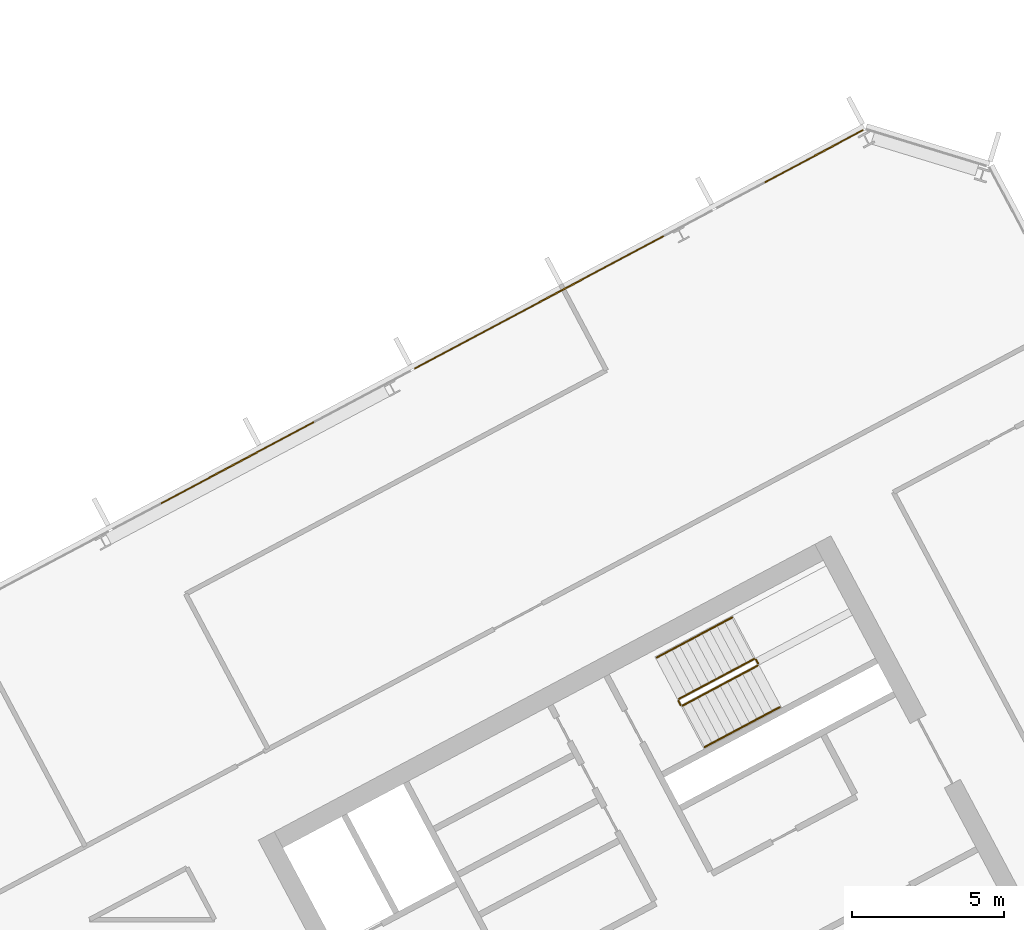
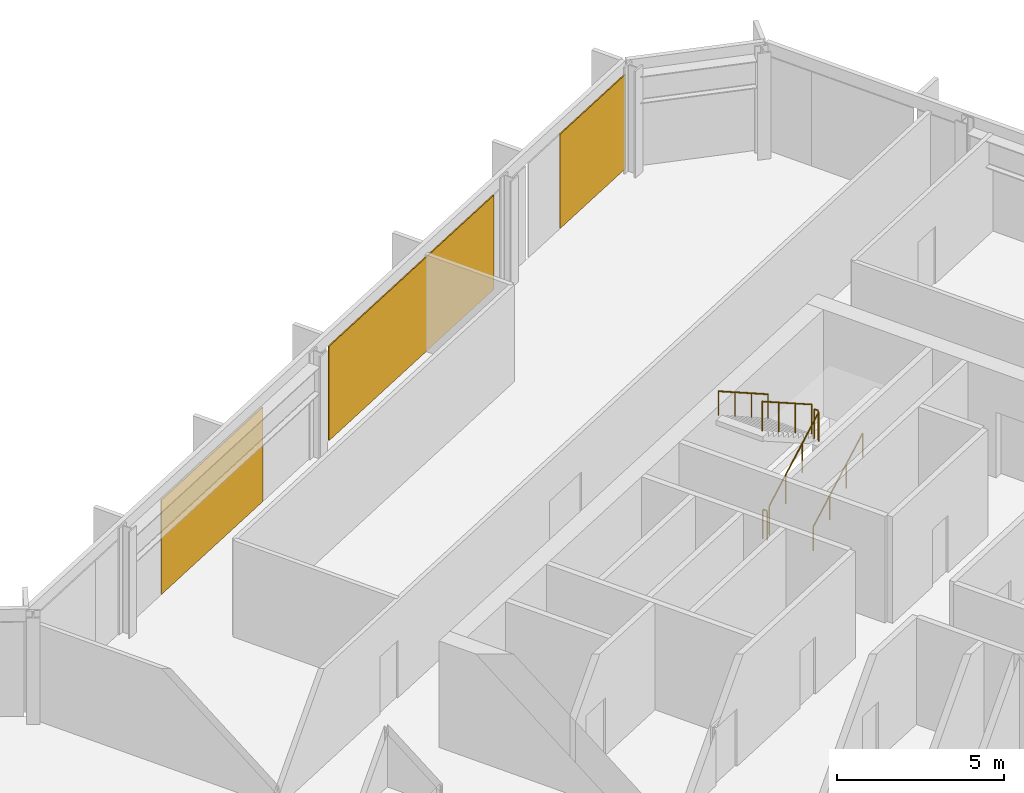
# One storey, part 26 of 27: 6 railings, 3 coverings, 1 element without a shape of its own.
"""IFC4 building model written with IfcOpenShell, lengths in metres."""

from ifc_helpers import new_model, si_unit, direction, frame, origin, origin_2d, place, context, subcontext, project, spatial, polyline, rectangle, outline, extrude, material, layer, layer_set, type_object, element, aggregate, save


model = new_model("IFC4")

# Units and contexts
model_context = context("Model", 3, precision=1e-05, world=origin(), true_north=direction((0.0, 1.0)))
body_context = subcontext(model_context, "Body", "Model", "MODEL_VIEW")
ifc_project = project(units=[si_unit("LENGTHUNIT", "METRE"), si_unit("AREAUNIT", "SQUARE_METRE"), si_unit("VOLUMEUNIT", "CUBIC_METRE"), si_unit("PLANEANGLEUNIT", "RADIAN"), si_unit("MASSUNIT", "GRAM", prefix="KILO")], contexts=[model_context])

# Site, building, storey
site_placement = place(None, origin())
site = spatial("IfcSite", under=ifc_project, at=site_placement, CompositionType="ELEMENT")
building_placement = place(site_placement, origin())
building = spatial("IfcBuilding", under=site, at=building_placement, Name="Cormorant Relay Tower", CompositionType="ELEMENT")
storey_placement = place(building_placement, frame((0.0, 0.0, 232.5)))
storey = spatial("IfcBuildingStorey", under=building, at=storey_placement, Name="L51", CompositionType="ELEMENT", Elevation=232.5)

# Curtain wall, coverings
ifc_material_1 = material(Name="Aluminium 6063-T6 anodised bronze", Category="aluminium")
ifc_layer_1 = layer(ifc_material_1, 0.199951171875)
ifc_layer_set_1 = layer_set([ifc_layer_1], Name="CW1 unitised bronze curtain wall with vertical fins")
curtain_wall_type = type_object("IfcCurtainWallType", Name="CW1 unitised bronze curtain wall with vertical fins", PredefinedType="NOTDEFINED", material=ifc_layer_set_1)
curtain_wall_placement = place(storey_placement, origin())
curtain_wall = element("IfcCurtainWall", 1, at=curtain_wall_placement, inside=storey, type_object=curtain_wall_type, Name="CW1 curtain wall 8", PredefinedType="NOTDEFINED")
ifc_material_2 = material(Name="Pale bronze anodised aluminium insulated panel", Category="aluminium")
ifc_layer_2 = layer(ifc_material_2, 0.0400390625)
ifc_layer_set_2 = layer_set([ifc_layer_2], Name="CW1 pale bronze insulated panel 40")
covering_type = type_object("IfcCoveringType", Name="CW1 pale bronze insulated panel 40", PredefinedType="CLADDING", material=ifc_layer_set_2)
covering_1_placement = place(storey_placement, frame((28.16943359375, 38.78466796875, 0.0), z_axis=(0.0, 0.0, 1.0), x_axis=(-0.882947592859, -0.469471562786, 0.0)))
covering_1 = element("IfcCovering", 2, at=covering_1_placement, type_object=covering_type, Name="CW1 panel S00", PredefinedType="CLADDING", context=body_context, shape_type="SweptSolid", body=[
    extrude(rectangle(XDim=3.68896484375, YDim=0.0400390625, at=origin_2d()), origin(), (0.0, 0.0, 1.0), 3.449951171875),
])
covering_2_placement = place(storey_placement, frame((19.11181640625, 33.968505859375, 0.0), z_axis=(0.0, 0.0, 1.0), x_axis=(-0.882947592859, -0.469471562786, 0.0)))
covering_2 = element("IfcCovering", 3, at=covering_2_placement, type_object=covering_type, Name="CW1 panel S03", PredefinedType="CLADDING", context=body_context, shape_type="SweptSolid", body=[
    extrude(rectangle(XDim=9.327880859375, YDim=0.0400390625, at=origin_2d()), origin(), (0.0, 0.0, 1.0), 3.449951171875),
])
covering_3_placement = place(storey_placement, frame((9.15380859375, 28.673828125, 0.0), z_axis=(0.0, 0.0, 1.0), x_axis=(-0.882947592859, -0.469471562786, 0.0)))
covering_3 = element("IfcCovering", 4, at=covering_3_placement, type_object=covering_type, Name="CW1 panel S05", PredefinedType="CLADDING", context=body_context, shape_type="SweptSolid", body=[
    extrude(rectangle(XDim=5.72802734375, YDim=0.0400390625, at=origin_2d()), origin(), (0.0, 0.0, 1.0), 3.449951171875),
])
aggregate(curtain_wall, [covering_1, covering_2, covering_3])

# Railings
ifc_material_3 = material(Name="Steel ASTM A572 Grade 50 (Fy 345 MPa)", Category="steel")
railing_type_1 = type_object("IfcRailingType", Name="Stair guard 1100", PredefinedType="GUARDRAIL", material=ifc_material_3)
railing_1_placement = place(storey_placement, frame((23.8408203125, 20.6611328125, 0.17724609375)))
element("IfcRailing", 5, at=railing_1_placement, inside=storey, type_object=railing_type_1, Name="L51 B2 stair guard 1", PredefinedType="GUARDRAIL", context=body_context, shape_type="SweptSolid", body=[
    extrude(outline(polyline([(0.022216796875, 0.00927734375), (0.00927734375, 0.022216796875), (-0.00927734375, 0.022216796875), (-0.022216796875, 0.00927734375), (-0.022216796875, -0.00927734375), (-0.00927734375, -0.022216796875), (0.00927734375, -0.022216796875), (0.022216796875, -0.00927734375), (0.022216796875, 0.00927734375)])), frame((0.0, 0.0, 1.076171875), z_axis=(0.746033882577, 0.396627473466, 0.534901947407), x_axis=(-0.469429322983, 0.882970050864, 0.0)), (0.0, 0.0, 1.0), 3.31396484375),
    extrude(outline(polyline([(0.019287109375, 0.008056640625), (0.008056640625, 0.019287109375), (-0.008056640625, 0.019287109375), (-0.019287109375, 0.008056640625), (-0.019287109375, -0.008056640625), (-0.008056640625, -0.019287109375), (0.008056640625, -0.019287109375), (0.019287109375, -0.008056640625), (0.019287109375, 0.008056640625)])), origin(), (0.0, 0.0, 1.0), 1.052001953125),
    extrude(outline(polyline([(0.019287109375, 0.008056640625), (0.008056640625, 0.019287109375), (-0.008056640625, 0.019287109375), (-0.019287109375, 0.008056640625), (-0.019287109375, -0.008056640625), (-0.008056640625, -0.019287109375), (0.008056640625, -0.019287109375), (0.019287109375, -0.008056640625), (0.019287109375, 0.008056640625)])), frame((0.82421875, 0.438232421875, 0.5908203125)), (0.0, 0.0, 1.0), 1.052001953125),
    extrude(outline(polyline([(0.019287109375, 0.008056640625), (0.008056640625, 0.019287109375), (-0.008056640625, 0.019287109375), (-0.019287109375, 0.008056640625), (-0.019287109375, -0.008056640625), (-0.008056640625, -0.019287109375), (0.008056640625, -0.019287109375), (0.019287109375, -0.008056640625), (0.019287109375, 0.008056640625)])), frame((1.648193359375, 0.876220703125, 1.181884765625)), (0.0, 0.0, 1.0), 1.052001953125),
    extrude(outline(polyline([(0.019287109375, 0.008056640625), (0.008056640625, 0.019287109375), (-0.008056640625, 0.019287109375), (-0.019287109375, 0.008056640625), (-0.019287109375, -0.008056640625), (-0.008056640625, -0.019287109375), (0.008056640625, -0.019287109375), (0.019287109375, -0.008056640625), (0.019287109375, 0.008056640625)])), frame((2.472412109375, 1.314453125, 1.772705078125)), (0.0, 0.0, 1.0), 1.052001953125),
])
railing_2_placement = place(storey_placement, frame((26.333740234375, 22.043212890625, 1.949951171875)))
element("IfcRailing", 6, at=railing_2_placement, inside=storey, type_object=railing_type_1, Name="L51 B2 stair guard 2", PredefinedType="GUARDRAIL", context=body_context, shape_type="SweptSolid", body=[
    extrude(outline(polyline([(0.022216796875, 0.00927734375), (0.00927734375, 0.022216796875), (-0.00927734375, 0.022216796875), (-0.022216796875, 0.00927734375), (-0.022216796875, -0.00927734375), (-0.00927734375, -0.022216796875), (0.00927734375, -0.022216796875), (0.022216796875, -0.00927734375), (0.022216796875, 0.00927734375)])), frame((0.0, 0.0, 1.076171875), z_axis=(-0.469234640946, 0.883073525669, 0.0), x_axis=(-0.883073525669, -0.469234640946, 0.0)), (0.0, 0.0, 1.0), 0.14990234375),
    extrude(outline(polyline([(0.019287109375, 0.008056640625), (0.008056640625, 0.019287109375), (-0.008056640625, 0.019287109375), (-0.019287109375, 0.008056640625), (-0.019287109375, -0.008056640625), (-0.008056640625, -0.019287109375), (0.008056640625, -0.019287109375), (0.019287109375, -0.008056640625), (0.019287109375, 0.008056640625)])), origin(), (0.0, 0.0, 1.0), 1.052001953125),
    extrude(outline(polyline([(0.019287109375, 0.008056640625), (0.008056640625, 0.019287109375), (-0.008056640625, 0.019287109375), (-0.019287109375, 0.008056640625), (-0.019287109375, -0.008056640625), (-0.008056640625, -0.019287109375), (0.008056640625, -0.019287109375), (0.019287109375, -0.008056640625), (0.019287109375, 0.008056640625)])), frame((-0.0703125, 0.13232421875, 0.0)), (0.0, 0.0, 1.0), 1.052001953125),
])
railing_3_placement = place(storey_placement, frame((26.19580078125, 22.1962890625, 2.127197265625)))
element("IfcRailing", 7, at=railing_3_placement, inside=storey, type_object=railing_type_1, Name="L51 B2 stair guard 3", PredefinedType="GUARDRAIL", context=body_context, shape_type="SweptSolid", body=[
    extrude(outline(polyline([(0.022216796875, 0.00927734375), (0.00927734375, 0.022216796875), (-0.00927734375, 0.022216796875), (-0.022216796875, 0.00927734375), (-0.022216796875, -0.00927734375), (-0.00927734375, -0.022216796875), (0.00927734375, -0.022216796875), (0.022216796875, -0.00927734375), (0.022216796875, 0.00927734375)])), frame((0.0, 0.0, 1.076171875), z_axis=(-0.746033882577, -0.396627473466, 0.534901947407), x_axis=(0.469429322983, -0.882970050864, 0.0)), (0.0, 0.0, 1.0), 3.31396484375),
    extrude(outline(polyline([(0.019287109375, 0.008056640625), (0.008056640625, 0.019287109375), (-0.008056640625, 0.019287109375), (-0.019287109375, 0.008056640625), (-0.019287109375, -0.008056640625), (-0.008056640625, -0.019287109375), (0.008056640625, -0.019287109375), (0.019287109375, -0.008056640625), (0.019287109375, 0.008056640625)])), origin(), (0.0, 0.0, 1.0), 1.052001953125),
    extrude(outline(polyline([(0.019287109375, 0.008056640625), (0.008056640625, 0.019287109375), (-0.008056640625, 0.019287109375), (-0.019287109375, 0.008056640625), (-0.019287109375, -0.008056640625), (-0.008056640625, -0.019287109375), (0.008056640625, -0.019287109375), (0.019287109375, -0.008056640625), (0.019287109375, 0.008056640625)])), frame((-0.82421875, -0.438232421875, 0.5908203125)), (0.0, 0.0, 1.0), 1.052001953125),
    extrude(outline(polyline([(0.019287109375, 0.008056640625), (0.008056640625, 0.019287109375), (-0.008056640625, 0.019287109375), (-0.019287109375, 0.008056640625), (-0.019287109375, -0.008056640625), (-0.008056640625, -0.019287109375), (0.008056640625, -0.019287109375), (0.019287109375, -0.008056640625), (0.019287109375, 0.008056640625)])), frame((-1.648193359375, -0.876220703125, 1.181884765625)), (0.0, 0.0, 1.0), 1.052001953125),
    extrude(outline(polyline([(0.019287109375, 0.008056640625), (0.008056640625, 0.019287109375), (-0.008056640625, 0.019287109375), (-0.019287109375, 0.008056640625), (-0.019287109375, -0.008056640625), (-0.008056640625, -0.019287109375), (0.008056640625, -0.019287109375), (0.019287109375, -0.008056640625), (0.019287109375, 0.008056640625)])), frame((-2.472412109375, -1.314453125, 1.772705078125)), (0.0, 0.0, 1.0), 1.052001953125),
])
railing_4_placement = place(storey_placement, frame((23.773193359375, 20.681640625, 0.0)))
element("IfcRailing", 8, at=railing_4_placement, inside=storey, type_object=railing_type_1, Name="L51 B2 stair guard 4", PredefinedType="GUARDRAIL", context=body_context, shape_type="SweptSolid", body=[
    extrude(outline(polyline([(0.022216796875, 0.00927734375), (0.00927734375, 0.022216796875), (-0.00927734375, 0.022216796875), (-0.022216796875, 0.00927734375), (-0.022216796875, -0.00927734375), (-0.00927734375, -0.022216796875), (0.00927734375, -0.022216796875), (0.022216796875, -0.00927734375), (0.022216796875, 0.00927734375)])), frame((0.0, 0.0, 1.076171875), z_axis=(-0.46856034887, 0.8834314911, 0.0), x_axis=(-0.8834314911, -0.46856034887, 0.0)), (0.0, 0.0, 1.0), 0.150146484375),
    extrude(outline(polyline([(0.019287109375, 0.008056640625), (0.008056640625, 0.019287109375), (-0.008056640625, 0.019287109375), (-0.019287109375, 0.008056640625), (-0.019287109375, -0.008056640625), (-0.008056640625, -0.019287109375), (0.008056640625, -0.019287109375), (0.019287109375, -0.008056640625), (0.019287109375, 0.008056640625)])), origin(), (0.0, 0.0, 1.0), 1.052001953125),
    extrude(outline(polyline([(0.019287109375, 0.008056640625), (0.008056640625, 0.019287109375), (-0.008056640625, 0.019287109375), (-0.019287109375, 0.008056640625), (-0.019287109375, -0.008056640625), (-0.008056640625, -0.019287109375), (0.008056640625, -0.019287109375), (0.019287109375, -0.008056640625), (0.019287109375, 0.008056640625)])), frame((-0.0703125, 0.132568359375, 0.0)), (0.0, 0.0, 1.0), 1.052001953125),
])
ifc_material_4 = material(Name="Steel ASTM A572 Grade 50 (Fy 345 MPa)", Category="steel")
railing_type_2 = type_object("IfcRailingType", Name="Stair handrail 900", PredefinedType="HANDRAIL", material=ifc_material_4)
railing_5_placement = place(storey_placement, frame((24.568603515625, 19.29248046875, 0.17724609375)))
element("IfcRailing", 9, at=railing_5_placement, inside=storey, type_object=railing_type_2, Name="L51 B2 stair handrail 1", PredefinedType="HANDRAIL", context=body_context, shape_type="SweptSolid", body=[
    extrude(outline(polyline([(0.022216796875, 0.00927734375), (0.00927734375, 0.022216796875), (-0.00927734375, 0.022216796875), (-0.022216796875, 0.00927734375), (-0.022216796875, -0.00927734375), (-0.00927734375, -0.022216796875), (0.00927734375, -0.022216796875), (0.022216796875, -0.00927734375), (0.022216796875, 0.00927734375)])), frame((0.0, 0.0, 0.8759765625), z_axis=(0.746001213114, 0.396649272309, 0.534931345884), x_axis=(-0.469465464807, 0.882950835185, 0.0)), (0.0, 0.0, 1.0), 3.31396484375),
    extrude(outline(polyline([(0.019287109375, 0.008056640625), (0.008056640625, 0.019287109375), (-0.008056640625, 0.019287109375), (-0.019287109375, 0.008056640625), (-0.019287109375, -0.008056640625), (-0.008056640625, -0.019287109375), (0.008056640625, -0.019287109375), (0.019287109375, -0.008056640625), (0.019287109375, 0.008056640625)])), origin(), (0.0, 0.0, 1.0), 0.851806640625),
    extrude(outline(polyline([(0.019287109375, 0.008056640625), (0.008056640625, 0.019287109375), (-0.008056640625, 0.019287109375), (-0.019287109375, 0.008056640625), (-0.019287109375, -0.008056640625), (-0.008056640625, -0.019287109375), (0.008056640625, -0.019287109375), (0.019287109375, -0.008056640625), (0.019287109375, 0.008056640625)])), frame((0.823974609375, 0.438232421875, 0.5908203125)), (0.0, 0.0, 1.0), 0.851806640625),
    extrude(outline(polyline([(0.019287109375, 0.008056640625), (0.008056640625, 0.019287109375), (-0.008056640625, 0.019287109375), (-0.019287109375, 0.008056640625), (-0.019287109375, -0.008056640625), (-0.008056640625, -0.019287109375), (0.008056640625, -0.019287109375), (0.019287109375, -0.008056640625), (0.019287109375, 0.008056640625)])), frame((1.648193359375, 0.876220703125, 1.181884765625)), (0.0, 0.0, 1.0), 0.851806640625),
    extrude(outline(polyline([(0.019287109375, 0.008056640625), (0.008056640625, 0.019287109375), (-0.008056640625, 0.019287109375), (-0.019287109375, 0.008056640625), (-0.019287109375, -0.008056640625), (-0.008056640625, -0.019287109375), (0.008056640625, -0.019287109375), (0.019287109375, -0.008056640625), (0.019287109375, 0.008056640625)])), frame((2.47216796875, 1.314453125, 1.772705078125)), (0.0, 0.0, 1.0), 0.851806640625),
])
railing_6_placement = place(storey_placement, frame((25.468017578125, 23.56494140625, 2.127197265625)))
element("IfcRailing", 10, at=railing_6_placement, inside=storey, type_object=railing_type_2, Name="L51 B2 stair handrail 2", PredefinedType="HANDRAIL", context=body_context, shape_type="SweptSolid", body=[
    extrude(outline(polyline([(0.022216796875, 0.00927734375), (0.00927734375, 0.022216796875), (-0.00927734375, 0.022216796875), (-0.022216796875, 0.00927734375), (-0.022216796875, -0.00927734375), (-0.00927734375, -0.022216796875), (0.00927734375, -0.022216796875), (0.022216796875, -0.00927734375), (0.022216796875, 0.00927734375)])), frame((0.0, 0.0, 0.8759765625), z_axis=(-0.745979412481, -0.396711350603, 0.534915713414), x_axis=(0.469533439143, -0.882914689835, 0.0)), (0.0, 0.0, 1.0), 3.31396484375),
    extrude(outline(polyline([(0.019287109375, 0.008056640625), (0.008056640625, 0.019287109375), (-0.008056640625, 0.019287109375), (-0.019287109375, 0.008056640625), (-0.019287109375, -0.008056640625), (-0.008056640625, -0.019287109375), (0.008056640625, -0.019287109375), (0.019287109375, -0.008056640625), (0.019287109375, 0.008056640625)])), origin(), (0.0, 0.0, 1.0), 0.851806640625),
    extrude(outline(polyline([(0.019287109375, 0.008056640625), (0.008056640625, 0.019287109375), (-0.008056640625, 0.019287109375), (-0.019287109375, 0.008056640625), (-0.019287109375, -0.008056640625), (-0.008056640625, -0.019287109375), (0.008056640625, -0.019287109375), (0.019287109375, -0.008056640625), (0.019287109375, 0.008056640625)])), frame((-0.823974609375, -0.438232421875, 0.5908203125)), (0.0, 0.0, 1.0), 0.851806640625),
    extrude(outline(polyline([(0.019287109375, 0.008056640625), (0.008056640625, 0.019287109375), (-0.008056640625, 0.019287109375), (-0.019287109375, 0.008056640625), (-0.019287109375, -0.008056640625), (-0.008056640625, -0.019287109375), (0.008056640625, -0.019287109375), (0.019287109375, -0.008056640625), (0.019287109375, 0.008056640625)])), frame((-1.648193359375, -0.87646484375, 1.181884765625)), (0.0, 0.0, 1.0), 0.851806640625),
    extrude(outline(polyline([(0.019287109375, 0.008056640625), (0.008056640625, 0.019287109375), (-0.008056640625, 0.019287109375), (-0.019287109375, 0.008056640625), (-0.019287109375, -0.008056640625), (-0.008056640625, -0.019287109375), (0.008056640625, -0.019287109375), (0.019287109375, -0.008056640625), (0.019287109375, 0.008056640625)])), frame((-2.47216796875, -1.314697265625, 1.772705078125)), (0.0, 0.0, 1.0), 0.851806640625),
])

save(model, "model.ifc")
